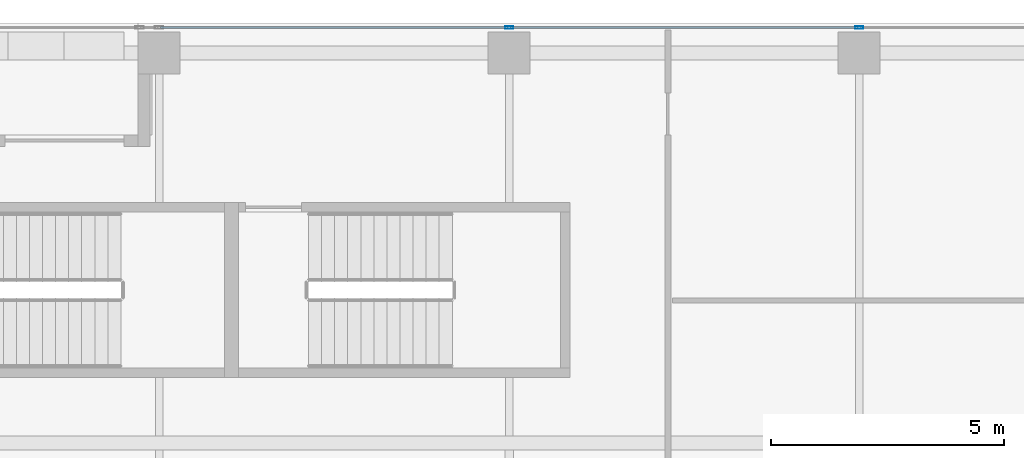
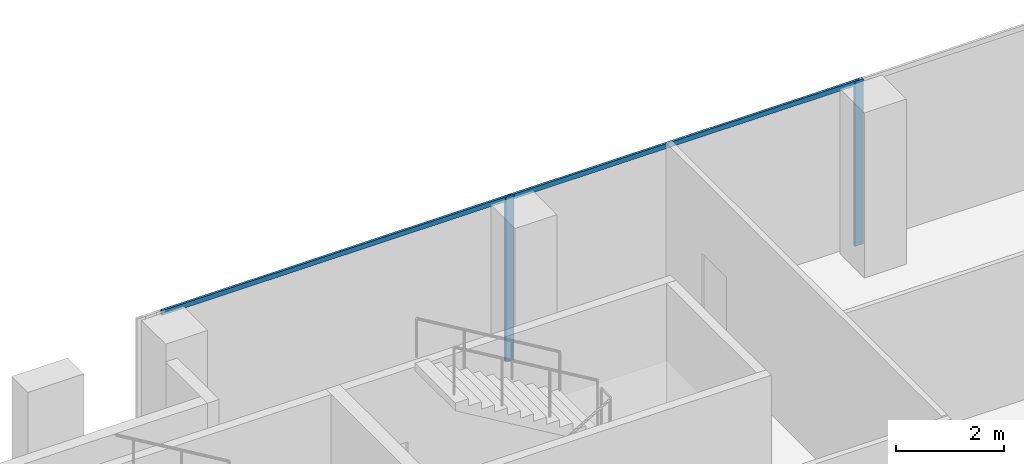
# One storey, part 19 of 35: 4 members, 1 element without a shape of its own.
"""IFC4 building model written with IfcOpenShell, lengths in metres."""

from ifc_helpers import new_model, si_unit, direction, frame, origin, origin_2d, place, context, subcontext, project, spatial, hollow_rectangle, extrude, source, transform, mapped, material, material_profile, profile_set, type_object, element, aggregate, save


model = new_model("IFC4")

# Units and contexts
model_context = context("Model", 3, precision=1e-05, world=origin(), true_north=direction((0.0, 1.0)))
body_context = subcontext(model_context, "Body", "Model", "MODEL_VIEW")
ifc_project = project(units=[si_unit("LENGTHUNIT", "METRE"), si_unit("AREAUNIT", "SQUARE_METRE"), si_unit("VOLUMEUNIT", "CUBIC_METRE"), si_unit("PLANEANGLEUNIT", "RADIAN"), si_unit("MASSUNIT", "GRAM", prefix="KILO")], contexts=[model_context])

# Site, building, storey
site_placement = place(None, origin())
site = spatial("IfcSite", under=ifc_project, at=site_placement, CompositionType="ELEMENT")
building_placement = place(site_placement, origin())
building = spatial("IfcBuilding", under=site, at=building_placement, Name="Khomas Fold Tower", CompositionType="ELEMENT")
storey_placement = place(building_placement, frame((0.0, 0.0, 250.199951171875)))
storey = spatial("IfcBuildingStorey", under=building, at=storey_placement, Name="L56", CompositionType="ELEMENT", Elevation=250.199951171875)

# Curtain wall, members
ifc_material_1 = material(Name="Aluminium framed double glazing", Category="aluminium")
curtain_wall_type = type_object("IfcCurtainWallType", Name="SK-Unitised clear-glass wall, office floors CW2", PredefinedType="NOTDEFINED", material=ifc_material_1)
curtain_wall_placement = place(storey_placement, origin())
curtain_wall = element("IfcCurtainWall", 1, at=curtain_wall_placement, inside=storey, type_object=curtain_wall_type, Name="CW2 run L56 06-0", PredefinedType="NOTDEFINED")
ifc_material_2 = material(Name="Aluminium", Category="aluminium")
ifc_material_profile_1 = material_profile(ifc_material_2, hollow_rectangle(XDim=0.06005859375, YDim=0.179931640625, WallThickness=0.00390625, at=origin_2d()), Name="SK-Unitised clear-glass wall, office floors mullion CW2-M")
ifc_profile_set_1 = profile_set([ifc_material_profile_1], Name="Aluminium")
member_type_1 = type_object("IfcMemberType", Name="SK-Unitised clear-glass wall, office floors mullion CW2-M", PredefinedType="MULLION", material=ifc_profile_set_1)
shared_shape_1 = source(origin(), body_context, "Body", "SweptSolid", [
    extrude(hollow_rectangle(XDim=0.06005859375, YDim=0.179931640625, WallThickness=0.00390625, at=origin_2d()), origin(), (0.0, 0.0, 1.0), 3.75),
])
member_1_placement = place(storey_placement, frame((34.5, 49.39990234375, 0.0), z_axis=(0.0, 0.0, 1.0), x_axis=(0.0, -1.0, 0.0)))
member_1 = element("IfcMember", 2, at=member_1_placement, type_object=member_type_1, Name="CW2 mullion 3", PredefinedType="MULLION", context=body_context, shape_type="MappedRepresentation", body=[
    mapped(shared_shape_1, transform((0.0, 0.0, 0.0))),
])
member_2_placement = place(storey_placement, frame((27.0, 49.39990234375, 0.0), z_axis=(0.0, 0.0, 1.0), x_axis=(0.0, -1.0, 0.0)))
member_2 = element("IfcMember", 3, at=member_2_placement, type_object=member_type_1, Name="CW2 mullion 4", PredefinedType="MULLION", context=body_context, shape_type="MappedRepresentation", body=[
    mapped(shared_shape_1, transform((0.0, 0.0, 0.0))),
])
ifc_material_3 = material(Name="Aluminium", Category="aluminium")
ifc_material_profile_2 = material_profile(ifc_material_3, hollow_rectangle(XDim=0.050048828125, YDim=0.110107421875, WallThickness=0.00390625, at=origin_2d()), Name="SK-Unitised clear-glass wall, office floors transom CW2-T")
ifc_profile_set_2 = profile_set([ifc_material_profile_2], Name="Aluminium")
member_type_2 = type_object("IfcMemberType", Name="SK-Unitised clear-glass wall, office floors transom CW2-T", PredefinedType="USERDEFINED", material=ifc_profile_set_2)
shared_shape_2 = source(origin(), body_context, "Body", "SweptSolid", [
    extrude(hollow_rectangle(XDim=0.050048828125, YDim=0.110107421875, WallThickness=0.00390625, at=origin_2d()), origin(), (0.0, 0.0, 1.0), 7.43994140625),
])
member_3_placement = place(storey_placement, frame((34.469970703125, 49.39990234375, 3.695068359375), z_axis=(-1.0, 0.0, 0.0), x_axis=(0.0, -1.0, 0.0)))
member_3 = element("IfcMember", 4, at=member_3_placement, type_object=member_type_2, Name="CW2 transom 3", ObjectType="TRANSOM", PredefinedType="USERDEFINED", context=body_context, shape_type="MappedRepresentation", body=[
    mapped(shared_shape_2, transform((0.0, 0.0, 0.0))),
])
member_4_placement = place(storey_placement, frame((26.969970703125, 49.39990234375, 3.695068359375), z_axis=(-1.0, 0.0, 0.0), x_axis=(0.0, -1.0, 0.0)))
member_4 = element("IfcMember", 5, at=member_4_placement, type_object=member_type_2, Name="CW2 transom 4", ObjectType="TRANSOM", PredefinedType="USERDEFINED", context=body_context, shape_type="MappedRepresentation", body=[
    mapped(shared_shape_2, transform((0.0, 0.0, 0.0))),
])
aggregate(curtain_wall, [member_1, member_2, member_3, member_4])

save(model, "model.ifc")
